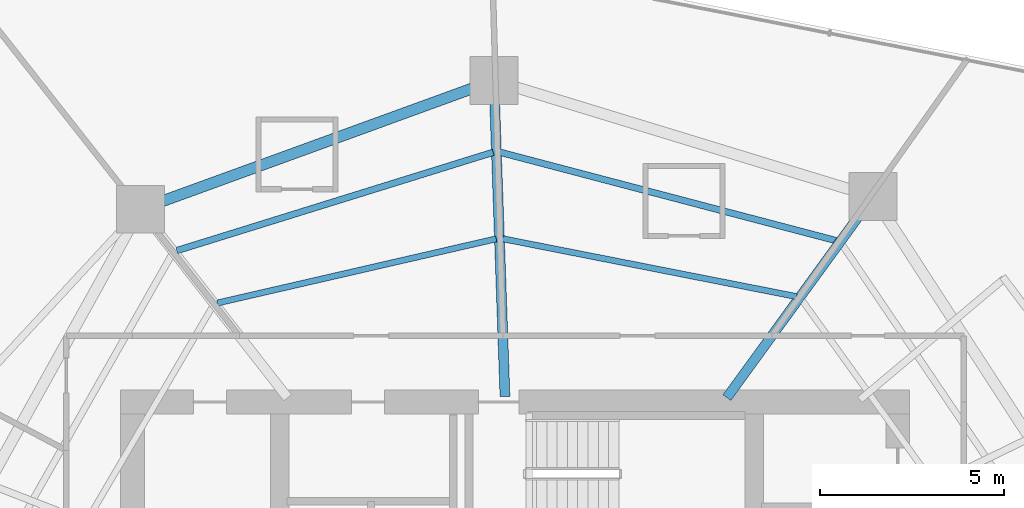
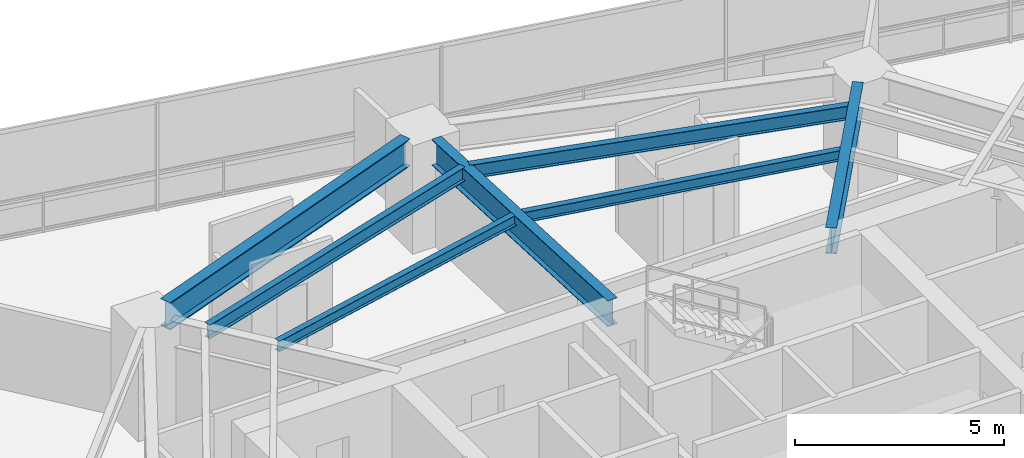
# One storey, part 20 of 33: 7 beams.
"""IFC4 building model written with IfcOpenShell, lengths in metres."""

import ifcopenshell
import ifcopenshell.guid

model = None  # the IFC model being written
_history = None  # IfcOwnerHistory: only IFC2X3 demands one
_inside = {}  # id of a spatial element -> (the spatial element, [elements in it])
_under = {}  # id of a project, library or spatial element -> (it, [spatial elements below it])
_declared = {}  # id of a project -> (the project, [libraries it declares])
_typed = {}  # id of a type object -> (the type object, [elements of that type])
_made_of = {}  # id of a material, layer set ... -> (it, [elements and type objects made of it])


def new_model(schema):
    """Start an empty IFC model of exactly this schema.

    Asked for "IFC4X3", IfcOpenShell would pick the latest addendum, in which some entities
    have other attributes; the version numbers below select the first issue.
    IFC2X3 requires an IfcOwnerHistory on every rooted entity: one is made here for all.
    """
    global model, _history
    if schema == "IFC4X3":
        model = ifcopenshell.file(schema_version=(4, 3, 0, 0))
    else:
        model = ifcopenshell.file(schema=schema)
    _inside.clear()
    _under.clear()
    _declared.clear()
    _typed.clear()
    _made_of.clear()
    _history = None
    if model.schema == "IFC2X3":
        org = make("IfcOrganization", Name="unknown")
        user = make(
            "IfcPersonAndOrganization",
            ThePerson=make("IfcPerson", FamilyName="unknown"),
            TheOrganization=org,
        )
        app = make(
            "IfcApplication",
            ApplicationDeveloper=org,
            Version="unknown",
            ApplicationFullName="unknown",
            ApplicationIdentifier="unknown",
        )
        _history = make(
            "IfcOwnerHistory",
            OwningUser=user,
            OwningApplication=app,
            ChangeAction="ADDED",
            CreationDate=0,
        )
    return model


def make(cls, **values):
    """One entity of the class cls with the attributes given. An attribute that is None is left unset."""
    return model.create_entity(
        cls, **{name: value for name, value in values.items() if value is not None}
    )


def rooted(cls, **values):
    """An entity with a GlobalId (a new one), such as an element, a storey or a relation."""
    return make(cls, GlobalId=ifcopenshell.guid.new(), OwnerHistory=_history, **values)


def si_unit(unit_type, name, prefix=None):
    """IfcSIUnit, for example si_unit("LENGTHUNIT", "METRE", prefix="MILLI")."""
    return make("IfcSIUnit", UnitType=unit_type, Prefix=prefix, Name=name)


def assignment(units):
    """IfcUnitAssignment: the units of a project."""
    return None if units is None else make("IfcUnitAssignment", Units=units)


def point(xyz):
    """IfcCartesianPoint."""
    return None if xyz is None else make("IfcCartesianPoint", Coordinates=xyz)


def direction(xyz):
    """IfcDirection."""
    return None if xyz is None else make("IfcDirection", DirectionRatios=xyz)


def frame(location, z_axis=None, x_axis=None):
    """IfcAxis2Placement3D, a coordinate frame: its origin and axes. An axis left out is left unset."""
    return make(
        "IfcAxis2Placement3D",
        Location=point(location),
        Axis=direction(z_axis),
        RefDirection=direction(x_axis),
    )


def frame_2d(location, x_axis=None):
    """IfcAxis2Placement2D, a coordinate frame in the plane: its origin and x axis."""
    return make(
        "IfcAxis2Placement2D", Location=point(location), RefDirection=direction(x_axis)
    )


def origin():
    """The frame at (0, 0, 0) with its axes left unset."""
    return frame((0.0, 0.0, 0.0))


def origin_2d():
    """The frame at (0, 0) in the plane with its x axis left unset."""
    return frame_2d((0.0, 0.0))


def place(relative_to, where):
    """IfcLocalPlacement: puts the frame where relative to a parent placement (None: the world)."""
    return make(
        "IfcLocalPlacement", PlacementRelTo=relative_to, RelativePlacement=where
    )


def context(
    kind, dimensions, precision=None, world=None, true_north=None, identifier=None
):
    """IfcGeometricRepresentationContext, for example the 3D "Model" context."""
    return make(
        "IfcGeometricRepresentationContext",
        ContextIdentifier=identifier,
        ContextType=kind,
        CoordinateSpaceDimension=dimensions,
        Precision=precision,
        WorldCoordinateSystem=world,
        TrueNorth=true_north,
    )


def subcontext(parent, identifier, kind, view, scale=None):
    """IfcGeometricRepresentationSubContext, for example "Body" below "Model"."""
    return make(
        "IfcGeometricRepresentationSubContext",
        ContextIdentifier=identifier,
        ContextType=kind,
        ParentContext=parent,
        TargetScale=scale,
        TargetView=view,
    )


def project(units=None, contexts=None):
    """IfcProject with its units and contexts."""
    return rooted(
        "IfcProject",
        Name="project",
        RepresentationContexts=contexts,
        UnitsInContext=assignment(units),
    )


def spatial(cls, under=None, at=None, **own):
    """A site, building, storey or space (cls), placed at a placement, below another one or the project."""
    s = rooted(cls, ObjectPlacement=at, **own)
    if under is not None:
        _under.setdefault(under.id(), (under, []))[1].append(s)
    return s


def profile(cls, at=None, kind="AREA", **sizes):
    """A parametric profile (cls). Its sizes go by their IFC names, for example OverallWidth=200.0."""
    return make(cls, ProfileType=kind, Position=at, **sizes)


def i_section(**sizes):
    """IfcIShapeProfileDef."""
    return profile("IfcIShapeProfileDef", **sizes)


def extrude(swept, where, along, depth):
    """IfcExtrudedAreaSolid: the profile swept, set in the frame where, extruded along a direction by depth."""
    return make(
        "IfcExtrudedAreaSolid",
        SweptArea=swept,
        Position=where,
        ExtrudedDirection=direction(along),
        Depth=depth,
    )


def shape(context_of_items, identifier, shape_type, items):
    """IfcShapeRepresentation: the items that make up one representation, for example the "Body"."""
    return make(
        "IfcShapeRepresentation",
        ContextOfItems=context_of_items,
        RepresentationIdentifier=identifier,
        RepresentationType=shape_type,
        Items=items,
    )


def material(Name=None, Category=None):
    """IfcMaterial."""
    return make("IfcMaterial", Name=Name, Category=Category)


def material_profile(
    of_material, cross_section, Name=None, Category=None, Priority=None
):
    """IfcMaterialProfile: a cross section and its material."""
    return make(
        "IfcMaterialProfile",
        Name=Name,
        Material=of_material,
        Profile=cross_section,
        Priority=Priority,
        Category=Category,
    )


def profile_set(profiles, Name=None, composite=None):
    """IfcMaterialProfileSet."""
    return make(
        "IfcMaterialProfileSet",
        Name=Name,
        MaterialProfiles=profiles,
        CompositeProfile=composite,
    )


def made_of(thing, what):
    """Note that an element or type object is made of a material, layer set ...; save() writes the relation."""
    if what is not None:
        _made_of.setdefault(what.id(), (what, []))[1].append(thing)
    return thing


def type_object(cls, material=None, **own):
    """A type object (cls), such as IfcWallType, which elements share."""
    return made_of(rooted(cls, **own), material)


def element(
    cls,
    number,
    at=None,
    inside=None,
    cuts=None,
    type_object=None,
    material=None,
    context=None,
    identifier="Body",
    shape_type=None,
    held_by="IfcProductDefinitionShape",
    body=None,
    shapes=None,
    **own,
):
    """One element of the class cls, such as IfcWall. Its Tag is "e" and its number.

    at: its placement. inside: the storey or other place that contains it. cuts: it is an
    opening in that element (IfcRelVoidsElement). A single representation is given by context,
    identifier, shape_type and body (its items); several are given by shapes. held_by: the class
    of the entity that holds the representations. save() writes the other relations.
    """
    e = rooted(cls, Tag="e%d" % number, ObjectPlacement=at, **own)
    if body is not None:
        shapes = [shape(context, identifier, shape_type, body)]
    if shapes is not None:
        e.Representation = make(held_by, Representations=shapes)
    if inside is not None:
        _inside.setdefault(inside.id(), (inside, []))[1].append(e)
    if cuts is not None:
        rooted(
            "IfcRelVoidsElement", RelatingBuildingElement=cuts, RelatedOpeningElement=e
        )
    if type_object is not None:
        _typed.setdefault(type_object.id(), (type_object, []))[1].append(e)
    return made_of(e, material)


def aggregate(whole, parts):
    """IfcRelAggregates: a whole, such as a stair, and the parts it consists of."""
    return rooted("IfcRelAggregates", RelatingObject=whole, RelatedObjects=parts)


def save(model, path):
    """Write the relations noted so far, then the file.

    IfcRelAggregates (storeys below a building ...), IfcRelContainedInSpatialStructure (elements
    in a storey), IfcRelDefinesByType, IfcRelAssociatesMaterial and IfcRelDeclares: one each for
    every whole, place, type object, material and project.
    """
    for whole, parts in _under.values():
        aggregate(whole, parts)
    for where, things in _inside.values():
        rooted(
            "IfcRelContainedInSpatialStructure",
            RelatedElements=things,
            RelatingStructure=where,
        )
    for kind, things in _typed.values():
        rooted("IfcRelDefinesByType", RelatedObjects=things, RelatingType=kind)
    for what, things in _made_of.values():
        rooted("IfcRelAssociatesMaterial", RelatedObjects=things, RelatingMaterial=what)
    for by, libraries in _declared.values():
        rooted("IfcRelDeclares", RelatingContext=by, RelatedDefinitions=libraries)
    model.write(path)


model = new_model("IFC4")

# Units and contexts
model_context = context("Model", 3, precision=1e-05, world=origin(), true_north=direction((0.0, 1.0)))
body_context = subcontext(model_context, "Body", "Model", "MODEL_VIEW")
ifc_project = project(units=[si_unit("LENGTHUNIT", "METRE"), si_unit("AREAUNIT", "SQUARE_METRE"), si_unit("VOLUMEUNIT", "CUBIC_METRE"), si_unit("PLANEANGLEUNIT", "RADIAN"), si_unit("MASSUNIT", "GRAM", prefix="KILO")], contexts=[model_context])

# Site, building, storey
site_placement = place(None, origin())
site = spatial("IfcSite", under=ifc_project, at=site_placement, CompositionType="ELEMENT")
building_placement = place(site_placement, origin())
building = spatial("IfcBuilding", under=site, at=building_placement, Name="Qarnah Convention Tower", CompositionType="ELEMENT")
storey_placement = place(building_placement, frame((0.0, 0.0, 27.0)))
storey = spatial("IfcBuildingStorey", under=building, at=storey_placement, Name="L05", CompositionType="ELEMENT", Elevation=27.0)

# Beams
ifc_material = material(Name="Structural steel S355JR", Category="steel")
ifc_material_profile_1 = material_profile(ifc_material, i_section(OverallWidth=0.166015625, OverallDepth=0.31201171875, WebThickness=0.007080078125, FlangeThickness=0.010986328125, at=origin_2d()), Name="W310X45")
ifc_profile_set_1 = profile_set([ifc_material_profile_1], Name="Structural steel S355JR")
beam_type_1 = type_object("IfcBeamType", Name="BM-JST-W310", PredefinedType="JOIST", material=ifc_profile_set_1)
beam_1_placement = place(storey_placement, frame((44.85009765625, 37.06689453125, 3.013916015625), z_axis=(-0.981172206516, 0.193134929933, 0.0), x_axis=(-0.193134929933, -0.981172206516, 0.0)))
element("IfcBeam", 1, at=beam_1_placement, inside=storey, type_object=beam_type_1, Name="L05 joist BM-L05-IJST-02", PredefinedType="JOIST", context=body_context, shape_type="SweptSolid", body=[
    extrude(i_section(OverallWidth=0.166015625, OverallDepth=0.31201171875, WebThickness=0.007080078125, FlangeThickness=0.010986328125, at=origin_2d()), origin(), (0.0, 0.0, 1.0), 8.14453125),
])
beam_2_placement = place(storey_placement, frame((36.68310546875, 38.636962890625, 3.013916015625), z_axis=(-0.97452280151, -0.224288451192, 0.0), x_axis=(0.224288451192, -0.97452280151, 0.0)))
element("IfcBeam", 2, at=beam_2_placement, inside=storey, type_object=beam_type_1, Name="L05 joist BM-L05-IJST-03", PredefinedType="JOIST", context=body_context, shape_type="SweptSolid", body=[
    extrude(i_section(OverallWidth=0.166015625, OverallDepth=0.31201171875, WebThickness=0.007080078125, FlangeThickness=0.010986328125, at=origin_2d()), origin(), (0.0, 0.0, 1.0), 7.775146484375),
])
ifc_material_profile_2 = material_profile(ifc_material, i_section(OverallWidth=0.177978515625, OverallDepth=0.407958984375, WebThickness=0.008056640625, FlangeThickness=0.012939453125, at=origin_2d()), Name="W410X60")
ifc_profile_set_2 = profile_set([ifc_material_profile_2], Name="Structural steel S355JR")
beam_type_2 = type_object("IfcBeamType", Name="BM-JST-W410", PredefinedType="JOIST", material=ifc_profile_set_2)
beam_3_placement = place(storey_placement, frame((45.947998046875, 38.58203125, 2.966064453125), z_axis=(-0.967122537274, 0.254310829294, 0.0), x_axis=(-0.254310829294, -0.967122537274, 0.0)))
element("IfcBeam", 3, at=beam_3_placement, inside=storey, type_object=beam_type_2, Name="L05 joist BM-L05-SJST-02", PredefinedType="JOIST", context=body_context, shape_type="SweptSolid", body=[
    extrude(i_section(OverallWidth=0.177978515625, OverallDepth=0.407958984375, WebThickness=0.008056640625, FlangeThickness=0.012939453125, at=origin_2d()), origin(), (0.0, 0.0, 1.0), 9.48388671875),
])
beam_4_placement = place(storey_placement, frame((36.60302734375, 40.989990234375, 2.966064453125), z_axis=(-0.954952196177, -0.296759672154, 0.0), x_axis=(0.296759672154, -0.954952196177, 0.0)))
element("IfcBeam", 4, at=beam_4_placement, inside=storey, type_object=beam_type_2, Name="L05 joist BM-L05-SJST-03", PredefinedType="JOIST", context=body_context, shape_type="SweptSolid", body=[
    extrude(i_section(OverallWidth=0.177978515625, OverallDepth=0.407958984375, WebThickness=0.008056640625, FlangeThickness=0.012939453125, at=origin_2d()), origin(), (0.0, 0.0, 1.0), 9.010986328125),
])
ifc_material_profile_3 = material_profile(ifc_material, i_section(OverallWidth=0.26806640625, OverallDepth=0.760009765625, WebThickness=0.014892578125, FlangeThickness=0.02197265625, at=origin_2d()), Name="W760X185")
ifc_profile_set_3 = profile_set([ifc_material_profile_3], Name="Structural steel S355JR")
beam_type_3 = type_object("IfcBeamType", Name="BM-RAD-W760", PredefinedType="BEAM", material=ifc_profile_set_3)
beam_5_placement = place(storey_placement, frame((42.955078125, 34.321044921875, 2.7900390625), z_axis=(0.587873224058, 0.808953071837, 0.0), x_axis=(-0.808953071837, 0.587873224058, 0.0)))
element("IfcBeam", 5, at=beam_5_placement, inside=storey, type_object=beam_type_3, Name="L05 beam BM-L05-RAD-02", PredefinedType="BEAM", context=body_context, shape_type="SweptSolid", body=[
    extrude(i_section(OverallWidth=0.26806640625, OverallDepth=0.760009765625, WebThickness=0.014892578125, FlangeThickness=0.02197265625, at=origin_2d()), origin(), (0.0, 0.0, 1.0), 6.12890625),
])
beam_6_placement = place(storey_placement, frame((36.922119140625, 34.35009765625, 2.7900390625), z_axis=(-0.034913066254, 0.999390353068, 0.0), x_axis=(-0.999390353068, -0.034913066254, 0.0)))
element("IfcBeam", 6, at=beam_6_placement, inside=storey, type_object=beam_type_3, Name="L05 beam BM-L05-RAD-03", PredefinedType="BEAM", context=body_context, shape_type="SweptSolid", body=[
    extrude(i_section(OverallWidth=0.26806640625, OverallDepth=0.760009765625, WebThickness=0.014892578125, FlangeThickness=0.02197265625, at=origin_2d()), origin(), (0.0, 0.0, 1.0), 7.96484375),
])
ifc_material_profile_4 = material_profile(ifc_material, i_section(OverallWidth=0.300048828125, OverallDepth=0.800048828125, WebThickness=0.01806640625, FlangeThickness=0.032958984375, at=origin_2d()), Name="HEB800")
ifc_profile_set_4 = profile_set([ifc_material_profile_4], Name="Structural steel S355JR")
beam_type_4 = type_object("IfcBeamType", Name="BM-RING-HEB800", PredefinedType="BEAM", material=ifc_profile_set_4)
beam_7_placement = place(storey_placement, frame((36.02099609375, 42.720947265625, 2.77001953125), z_axis=(-0.939712145037, -0.341966496121, 0.0), x_axis=(0.341966496121, -0.939712145037, 0.0)))
element("IfcBeam", 7, at=beam_7_placement, inside=storey, type_object=beam_type_4, Name="L05 beam BM-L05-SPN-03", PredefinedType="BEAM", context=body_context, shape_type="SweptSolid", body=[
    extrude(i_section(OverallWidth=0.300048828125, OverallDepth=0.800048828125, WebThickness=0.01806640625, FlangeThickness=0.032958984375, at=origin_2d()), origin(), (0.0, 0.0, 1.0), 8.948486328125),
])

save(model, "model.ifc")
